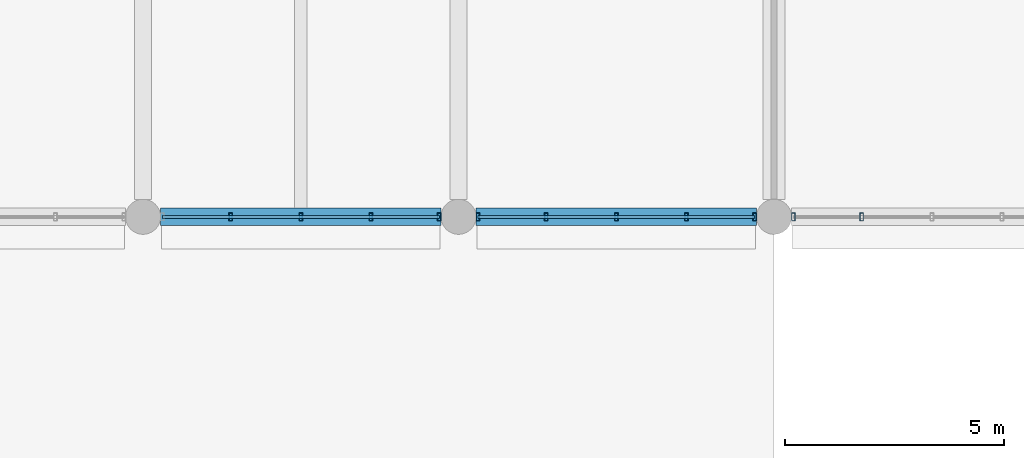
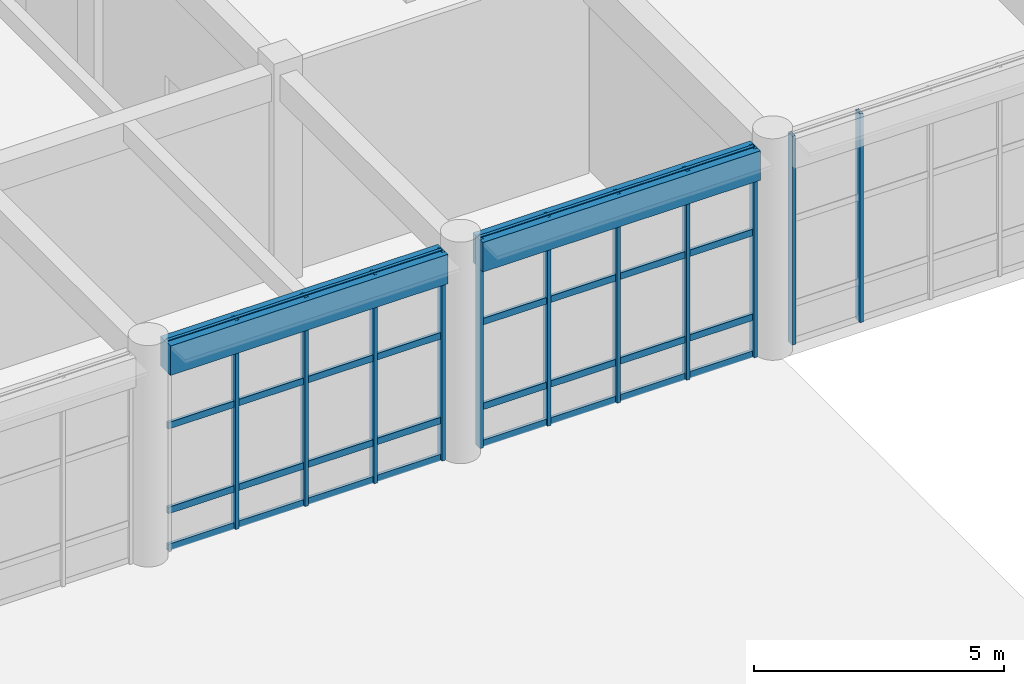
# One storey, part 27 of 160: 19 members, 2 beams, 3 elements without a shape of their own.
"""IFC4 building model written with IfcOpenShell, lengths in metres."""

from ifc_helpers import new_model, si_unit, direction, frame, origin, origin_2d, place, context, subcontext, project, spatial, rectangle, hollow_rectangle, extrude, material, material_profile, profile_set, type_object, element, aggregate, save


model = new_model("IFC4")

# Units and contexts
model_context = context("Model", 3, precision=1e-05, world=origin(), true_north=direction((0.0, 1.0)))
body_context = subcontext(model_context, "Body", "Model", "MODEL_VIEW")
ifc_project = project(units=[si_unit("LENGTHUNIT", "METRE"), si_unit("AREAUNIT", "SQUARE_METRE"), si_unit("VOLUMEUNIT", "CUBIC_METRE"), si_unit("PLANEANGLEUNIT", "RADIAN"), si_unit("MASSUNIT", "GRAM", prefix="KILO")], contexts=[model_context])

# Site, building, storey
site_placement = place(None, origin())
site = spatial("IfcSite", under=ifc_project, at=site_placement, CompositionType="ELEMENT")
building_placement = place(site_placement, origin())
building = spatial("IfcBuilding", under=site, at=building_placement, Name="Thalmaran Polytechnic", CompositionType="ELEMENT")
storey_placement = place(building_placement, origin())
storey = spatial("IfcBuildingStorey", under=building, at=storey_placement, Name="L00", CompositionType="ELEMENT", Elevation=0.0)

# Beams
ifc_material_1 = material(Name="Concrete C40/50", Category="concrete")
ifc_material_profile_1 = material_profile(ifc_material_1, rectangle(XDim=0.39990234375, YDim=0.719970703125, at=origin_2d()), Name="RC 400x720")
ifc_profile_set_1 = profile_set([ifc_material_profile_1], Name="Concrete C40/50")
beam_type = type_object("IfcBeamType", Name="BM-SP01", PredefinedType="SPANDREL", material=ifc_profile_set_1)
for number, where, z_axis, x_axis, name in (
    (1, (43.60009765625, 50.39990234375, 4.72998046875), (1.0, 0.0, 0.0), (0.0, 1.0, 0.0), "Grid Beam SP01 L00 X(6,7)"),
    (2, (50.800048828125, 50.39990234375, 4.72998046875), (1.0, 0.0, 0.0), (0.0, 1.0, 0.0), "Grid Beam SP01 L00 X(7,7)"),
):
    element("IfcBeam", number, at=place(storey_placement, frame(where, z_axis=z_axis, x_axis=x_axis)), inside=storey, type_object=beam_type, Name=name, PredefinedType="SPANDREL", context=body_context, shape_type="SweptSolid", body=[
        extrude(rectangle(XDim=0.39990234375, YDim=0.719970703125, at=origin_2d()), origin(), (0.0, 0.0, 1.0), 6.39990234375),
    ])

# Curtain wall, members
ifc_material_2 = material(Name="Aluminium 6063-T6", Category="aluminium")
curtain_wall_type = type_object("IfcCurtainWallType", Name="CW-SC01", PredefinedType="USERDEFINED", material=ifc_material_2)
curtain_wall_1_placement = place(storey_placement, origin())
curtain_wall_1 = element("IfcCurtainWall", 3, at=curtain_wall_1_placement, inside=storey, type_object=curtain_wall_type, Name="Curtain Wall CW-L00-039", ObjectType="STICK CURTAIN WALL", PredefinedType="USERDEFINED")
ifc_material_profile_2 = material_profile(ifc_material_2, hollow_rectangle(XDim=0.080078125, YDim=0.179931640625, WallThickness=0.0048828125, at=origin_2d()), Name="RHS 180x80x5.0")
ifc_profile_set_2 = profile_set([ifc_material_profile_2], Name="Aluminium 6063-T6")
member_type_1 = type_object("IfcMemberType", Name="CW-MUL1", PredefinedType="MULLION", material=ifc_profile_set_2)
member_1_placement = place(storey_placement, frame((59.60009765625, 50.39990234375, 0.0), z_axis=(0.0, 0.0, 1.0), x_axis=(1.0, 0.0, 0.0)))
member_1 = element("IfcMember", 4, at=member_1_placement, type_object=member_type_1, Name="CW-L00-039 Mullion 4", PredefinedType="MULLION", context=body_context, shape_type="SweptSolid", body=[
    extrude(hollow_rectangle(XDim=0.080078125, YDim=0.179931640625, WallThickness=0.0048828125, at=origin_2d()), origin(), (0.0, 0.0, 1.0), 5.090087890625),
])
member_2_placement = place(storey_placement, frame((58.0400390625, 50.39990234375, 0.0), z_axis=(0.0, 0.0, 1.0), x_axis=(1.0, 0.0, 0.0)))
member_2 = element("IfcMember", 5, at=member_2_placement, type_object=member_type_1, Name="CW-L00-039 Mullion 5", PredefinedType="MULLION", context=body_context, shape_type="SweptSolid", body=[
    extrude(hollow_rectangle(XDim=0.080078125, YDim=0.179931640625, WallThickness=0.0048828125, at=origin_2d()), origin(), (0.0, 0.0, 1.0), 5.090087890625),
])
aggregate(curtain_wall_1, [member_1, member_2])

curtain_wall_2_placement = place(storey_placement, origin())
curtain_wall_2 = element("IfcCurtainWall", 6, at=curtain_wall_2_placement, inside=storey, type_object=curtain_wall_type, Name="Curtain Wall CW-L00-040", ObjectType="STICK CURTAIN WALL", PredefinedType="USERDEFINED")
member_3_placement = place(storey_placement, frame((57.159912109375, 50.39990234375, 0.0), z_axis=(0.0, 0.0, 1.0), x_axis=(1.0, 0.0, 0.0)))
member_3 = element("IfcMember", 7, at=member_3_placement, type_object=member_type_1, Name="CW-L00-040 Mullion 1", PredefinedType="MULLION", context=body_context, shape_type="SweptSolid", body=[
    extrude(hollow_rectangle(XDim=0.080078125, YDim=0.179931640625, WallThickness=0.0048828125, at=origin_2d()), origin(), (0.0, 0.0, 1.0), 5.090087890625),
])
member_4_placement = place(storey_placement, frame((55.60009765625, 50.39990234375, 0.0), z_axis=(0.0, 0.0, 1.0), x_axis=(1.0, 0.0, 0.0)))
member_4 = element("IfcMember", 8, at=member_4_placement, type_object=member_type_1, Name="CW-L00-040 Mullion 2", PredefinedType="MULLION", context=body_context, shape_type="SweptSolid", body=[
    extrude(hollow_rectangle(XDim=0.080078125, YDim=0.179931640625, WallThickness=0.0048828125, at=origin_2d()), origin(), (0.0, 0.0, 1.0), 5.090087890625),
])
member_5_placement = place(storey_placement, frame((54.0, 50.39990234375, 0.0), z_axis=(0.0, 0.0, 1.0), x_axis=(1.0, 0.0, 0.0)))
member_5 = element("IfcMember", 9, at=member_5_placement, type_object=member_type_1, Name="CW-L00-040 Mullion 3", PredefinedType="MULLION", context=body_context, shape_type="SweptSolid", body=[
    extrude(hollow_rectangle(XDim=0.080078125, YDim=0.179931640625, WallThickness=0.0048828125, at=origin_2d()), origin(), (0.0, 0.0, 1.0), 5.090087890625),
])
member_6_placement = place(storey_placement, frame((52.39990234375, 50.39990234375, 0.0), z_axis=(0.0, 0.0, 1.0), x_axis=(1.0, 0.0, 0.0)))
member_6 = element("IfcMember", 10, at=member_6_placement, type_object=member_type_1, Name="CW-L00-040 Mullion 4", PredefinedType="MULLION", context=body_context, shape_type="SweptSolid", body=[
    extrude(hollow_rectangle(XDim=0.080078125, YDim=0.179931640625, WallThickness=0.0048828125, at=origin_2d()), origin(), (0.0, 0.0, 1.0), 5.090087890625),
])
member_7_placement = place(storey_placement, frame((50.840087890625, 50.39990234375, 0.0), z_axis=(0.0, 0.0, 1.0), x_axis=(1.0, 0.0, 0.0)))
member_7 = element("IfcMember", 11, at=member_7_placement, type_object=member_type_1, Name="CW-L00-040 Mullion 5", PredefinedType="MULLION", context=body_context, shape_type="SweptSolid", body=[
    extrude(hollow_rectangle(XDim=0.080078125, YDim=0.179931640625, WallThickness=0.0048828125, at=origin_2d()), origin(), (0.0, 0.0, 1.0), 5.090087890625),
])

curtain_wall_3_placement = place(storey_placement, origin())
curtain_wall_3 = element("IfcCurtainWall", 12, at=curtain_wall_3_placement, inside=storey, type_object=curtain_wall_type, Name="Curtain Wall CW-L00-041", ObjectType="STICK CURTAIN WALL", PredefinedType="USERDEFINED")
member_8_placement = place(storey_placement, frame((49.9599609375, 50.39990234375, 0.0), z_axis=(0.0, 0.0, 1.0), x_axis=(1.0, 0.0, 0.0)))
member_8 = element("IfcMember", 13, at=member_8_placement, type_object=member_type_1, Name="CW-L00-041 Mullion 1", PredefinedType="MULLION", context=body_context, shape_type="SweptSolid", body=[
    extrude(hollow_rectangle(XDim=0.080078125, YDim=0.179931640625, WallThickness=0.0048828125, at=origin_2d()), origin(), (0.0, 0.0, 1.0), 5.090087890625),
])
member_9_placement = place(storey_placement, frame((48.39990234375, 50.39990234375, 0.0), z_axis=(0.0, 0.0, 1.0), x_axis=(1.0, 0.0, 0.0)))
member_9 = element("IfcMember", 14, at=member_9_placement, type_object=member_type_1, Name="CW-L00-041 Mullion 2", PredefinedType="MULLION", context=body_context, shape_type="SweptSolid", body=[
    extrude(hollow_rectangle(XDim=0.080078125, YDim=0.179931640625, WallThickness=0.0048828125, at=origin_2d()), origin(), (0.0, 0.0, 1.0), 5.090087890625),
])
member_10_placement = place(storey_placement, frame((46.800048828125, 50.39990234375, 0.0), z_axis=(0.0, 0.0, 1.0), x_axis=(1.0, 0.0, 0.0)))
member_10 = element("IfcMember", 15, at=member_10_placement, type_object=member_type_1, Name="CW-L00-041 Mullion 3", PredefinedType="MULLION", context=body_context, shape_type="SweptSolid", body=[
    extrude(hollow_rectangle(XDim=0.080078125, YDim=0.179931640625, WallThickness=0.0048828125, at=origin_2d()), origin(), (0.0, 0.0, 1.0), 5.090087890625),
])
member_11_placement = place(storey_placement, frame((45.199951171875, 50.39990234375, 0.0), z_axis=(0.0, 0.0, 1.0), x_axis=(1.0, 0.0, 0.0)))
member_11 = element("IfcMember", 16, at=member_11_placement, type_object=member_type_1, Name="CW-L00-041 Mullion 4", PredefinedType="MULLION", context=body_context, shape_type="SweptSolid", body=[
    extrude(hollow_rectangle(XDim=0.080078125, YDim=0.179931640625, WallThickness=0.0048828125, at=origin_2d()), origin(), (0.0, 0.0, 1.0), 5.090087890625),
])

# Member
ifc_material_profile_3 = material_profile(ifc_material_2, hollow_rectangle(XDim=0.070068359375, YDim=0.159912109375, WallThickness=0.00390625, at=origin_2d()), Name="AL 160x70x4.0")
ifc_profile_set_3 = profile_set([ifc_material_profile_3], Name="Aluminium 6063-T6")
member_type_2 = type_object("IfcMemberType", Name="CW-TRN1", PredefinedType="USERDEFINED", material=ifc_profile_set_3)
member_12_placement = place(storey_placement, frame((57.159912109375, 50.39990234375, 0.06005859375), z_axis=(-1.0, 0.0, 0.0), x_axis=(0.0, -1.0, 0.0)))
member_12 = element("IfcMember", 17, at=member_12_placement, type_object=member_type_2, Name="CW-L00-040 Transom 1", ObjectType="TRANSOM", PredefinedType="USERDEFINED", context=body_context, shape_type="SweptSolid", body=[
    extrude(hollow_rectangle(XDim=0.070068359375, YDim=0.159912109375, WallThickness=0.00390625, at=origin_2d()), origin(), (0.0, 0.0, 1.0), 6.31982421875),
])

member_13_placement = place(storey_placement, frame((57.159912109375, 50.39990234375, 0.9599609375), z_axis=(-1.0, 0.0, 0.0), x_axis=(0.0, -1.0, 0.0)))
member_13 = element("IfcMember", 18, at=member_13_placement, type_object=member_type_2, Name="CW-L00-040 Transom 2", ObjectType="TRANSOM", PredefinedType="USERDEFINED", context=body_context, shape_type="SweptSolid", body=[
    extrude(hollow_rectangle(XDim=0.070068359375, YDim=0.159912109375, WallThickness=0.00390625, at=origin_2d()), origin(), (0.0, 0.0, 1.0), 6.31982421875),
])

member_14_placement = place(storey_placement, frame((57.159912109375, 50.39990234375, 3.02490234375), z_axis=(-1.0, 0.0, 0.0), x_axis=(0.0, -1.0, 0.0)))
member_14 = element("IfcMember", 19, at=member_14_placement, type_object=member_type_2, Name="CW-L00-040 Transom 3", ObjectType="TRANSOM", PredefinedType="USERDEFINED", context=body_context, shape_type="SweptSolid", body=[
    extrude(hollow_rectangle(XDim=0.070068359375, YDim=0.159912109375, WallThickness=0.00390625, at=origin_2d()), origin(), (0.0, 0.0, 1.0), 6.31982421875),
])

member_15_placement = place(storey_placement, frame((57.159912109375, 50.39990234375, 5.030029296875), z_axis=(-1.0, 0.0, 0.0), x_axis=(0.0, -1.0, 0.0)))
member_15 = element("IfcMember", 20, at=member_15_placement, type_object=member_type_2, Name="CW-L00-040 Transom 4", ObjectType="TRANSOM", PredefinedType="USERDEFINED", context=body_context, shape_type="SweptSolid", body=[
    extrude(hollow_rectangle(XDim=0.070068359375, YDim=0.159912109375, WallThickness=0.00390625, at=origin_2d()), origin(), (0.0, 0.0, 1.0), 6.31982421875),
])

aggregate(curtain_wall_2, [member_3, member_4, member_5, member_6, member_7, member_12, member_13, member_14, member_15])

member_16_placement = place(storey_placement, frame((49.9599609375, 50.39990234375, 0.06005859375), z_axis=(-1.0, 0.0, 0.0), x_axis=(0.0, -1.0, 0.0)))
member_16 = element("IfcMember", 21, at=member_16_placement, type_object=member_type_2, Name="CW-L00-041 Transom 1", ObjectType="TRANSOM", PredefinedType="USERDEFINED", context=body_context, shape_type="SweptSolid", body=[
    extrude(hollow_rectangle(XDim=0.070068359375, YDim=0.159912109375, WallThickness=0.00390625, at=origin_2d()), origin(), (0.0, 0.0, 1.0), 6.320068359375),
])

member_17_placement = place(storey_placement, frame((49.9599609375, 50.39990234375, 0.9599609375), z_axis=(-1.0, 0.0, 0.0), x_axis=(0.0, -1.0, 0.0)))
member_17 = element("IfcMember", 22, at=member_17_placement, type_object=member_type_2, Name="CW-L00-041 Transom 2", ObjectType="TRANSOM", PredefinedType="USERDEFINED", context=body_context, shape_type="SweptSolid", body=[
    extrude(hollow_rectangle(XDim=0.070068359375, YDim=0.159912109375, WallThickness=0.00390625, at=origin_2d()), origin(), (0.0, 0.0, 1.0), 6.320068359375),
])

member_18_placement = place(storey_placement, frame((49.9599609375, 50.39990234375, 3.02490234375), z_axis=(-1.0, 0.0, 0.0), x_axis=(0.0, -1.0, 0.0)))
member_18 = element("IfcMember", 23, at=member_18_placement, type_object=member_type_2, Name="CW-L00-041 Transom 3", ObjectType="TRANSOM", PredefinedType="USERDEFINED", context=body_context, shape_type="SweptSolid", body=[
    extrude(hollow_rectangle(XDim=0.070068359375, YDim=0.159912109375, WallThickness=0.00390625, at=origin_2d()), origin(), (0.0, 0.0, 1.0), 6.320068359375),
])

member_19_placement = place(storey_placement, frame((49.9599609375, 50.39990234375, 5.030029296875), z_axis=(-1.0, 0.0, 0.0), x_axis=(0.0, -1.0, 0.0)))
member_19 = element("IfcMember", 24, at=member_19_placement, type_object=member_type_2, Name="CW-L00-041 Transom 4", ObjectType="TRANSOM", PredefinedType="USERDEFINED", context=body_context, shape_type="SweptSolid", body=[
    extrude(hollow_rectangle(XDim=0.070068359375, YDim=0.159912109375, WallThickness=0.00390625, at=origin_2d()), origin(), (0.0, 0.0, 1.0), 6.320068359375),
])

aggregate(curtain_wall_3, [member_8, member_9, member_10, member_11, member_16, member_17, member_18, member_19])

save(model, "model.ifc")
